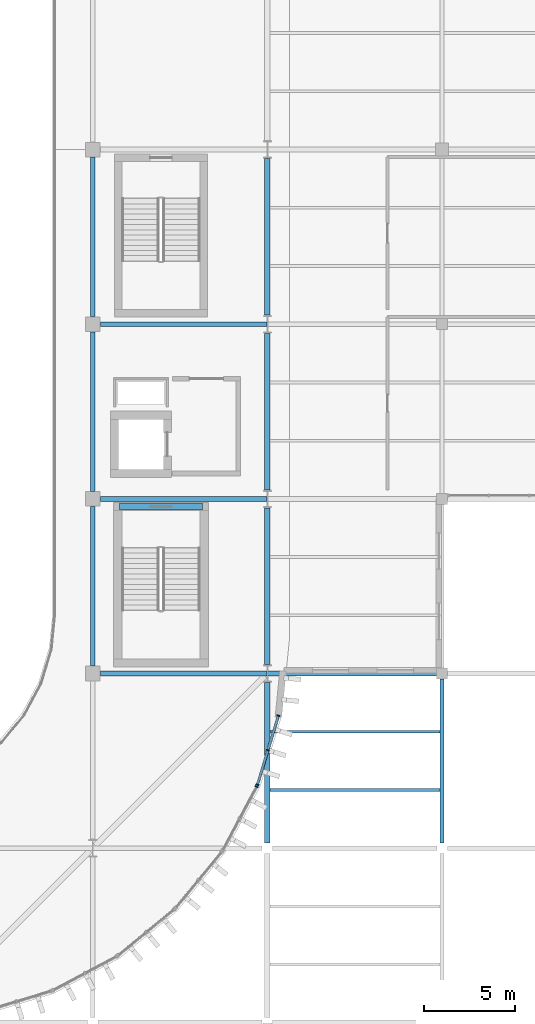
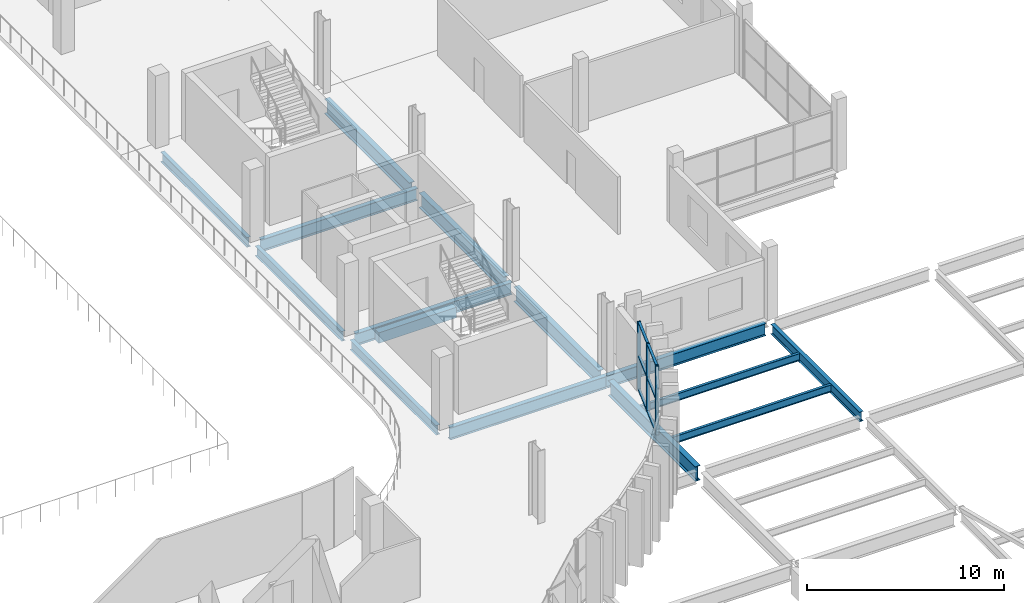
# One storey, part 20 of 75: 15 beams, 10 members, 2 elements without a shape of their own.
"""IFC4 building model written with IfcOpenShell, lengths in metres."""

from ifc_helpers import new_model, si_unit, direction, frame, origin, origin_2d, place, context, subcontext, project, spatial, rectangle, i_section, extrude, material, layer, layer_set, material_profile, profile_set, type_object, element, aggregate, save


model = new_model("IFC4")

# Units and contexts
model_context = context("Model", 3, precision=1e-05, world=origin(), true_north=direction((0.0, 1.0)))
body_context = subcontext(model_context, "Body", "Model", "MODEL_VIEW")
ifc_project = project(units=[si_unit("LENGTHUNIT", "METRE"), si_unit("AREAUNIT", "SQUARE_METRE"), si_unit("VOLUMEUNIT", "CUBIC_METRE"), si_unit("PLANEANGLEUNIT", "RADIAN"), si_unit("MASSUNIT", "GRAM", prefix="KILO")], contexts=[model_context])

# Site, building, storey
site_placement = place(None, origin())
site = spatial("IfcSite", under=ifc_project, at=site_placement, CompositionType="ELEMENT")
building_placement = place(site_placement, origin())
building = spatial("IfcBuilding", under=site, at=building_placement, Name="Caelomonte Colonnade Arena", CompositionType="ELEMENT")
storey_placement = place(building_placement, frame((0.0, 0.0, 14.10009765625)))
storey = spatial("IfcBuildingStorey", under=building, at=storey_placement, Name="L03", CompositionType="ELEMENT", Elevation=14.10009765625)

# Curtain wall, member
ifc_material_1 = material(Name="Bronze anodised aluminium and low-E glazing", Category="aluminium")
ifc_layer = layer(ifc_material_1, 0.179931640625)
ifc_layer_set = layer_set([ifc_layer], Name="Bronze anodised aluminium and low-E glazing")
curtain_wall_type = type_object("IfcCurtainWallType", Name="ENV-CW-CW-L03-44-42", PredefinedType="USERDEFINED", material=ifc_layer_set)
curtain_wall_1_placement = place(storey_placement, origin())
curtain_wall_1 = element("IfcCurtainWall", 1, at=curtain_wall_1_placement, inside=storey, type_object=curtain_wall_type, Name="L03 unitized curtain wall CW-L03-1617-0304", ObjectType="UNITIZED CURTAIN WALL", PredefinedType="USERDEFINED")
ifc_material_2 = material(Name="Bronze anodised aluminium AA6063-T6", Category="aluminium")
ifc_material_profile_1 = material_profile(ifc_material_2, rectangle(XDim=0.070068359375, YDim=0.179931640625, at=origin_2d()), Name="CWM-70X180")
ifc_profile_set_1 = profile_set([ifc_material_profile_1], Name="Bronze anodised aluminium AA6063-T6")
member_type_1 = type_object("IfcMemberType", Name="ENV-CW-MULL1", PredefinedType="MULLION", material=ifc_profile_set_1)
member_1_placement = place(storey_placement, frame((162.607421875, 32.182373046875, 0.0), z_axis=(0.0, 0.0, 1.0), x_axis=(0.471394212466, 0.881922613642, 0.0)))
member_1 = element("IfcMember", 2, at=member_1_placement, type_object=member_type_1, Name="CW-L03-44-42 mullion 3", PredefinedType="MULLION", context=body_context, shape_type="SweptSolid", body=[
    extrude(rectangle(XDim=0.070068359375, YDim=0.179931640625, at=origin_2d()), origin(), (0.0, 0.0, 1.0), 4.239990234375),
])
aggregate(curtain_wall_1, [member_1])

# Curtain wall, members
curtain_wall_2_placement = place(storey_placement, origin())
curtain_wall_2 = element("IfcCurtainWall", 3, at=curtain_wall_2_placement, inside=storey, type_object=curtain_wall_type, Name="L03 unitized curtain wall CW-L03-1632-0342", ObjectType="UNITIZED CURTAIN WALL", PredefinedType="USERDEFINED")
member_2_placement = place(storey_placement, frame((162.651123046875, 32.28759765625, 0.0), z_axis=(0.0, 0.0, 1.0), x_axis=(0.290255582655, 0.956949160999, 0.0)))
member_2 = element("IfcMember", 4, at=member_2_placement, type_object=member_type_1, Name="CW-L03-44-42 mullion 1", PredefinedType="MULLION", context=body_context, shape_type="SweptSolid", body=[
    extrude(rectangle(XDim=0.070068359375, YDim=0.179931640625, at=origin_2d()), origin(), (0.0, 0.0, 1.0), 4.239990234375),
])
member_3_placement = place(storey_placement, frame((163.226806640625, 34.185546875, 0.0), z_axis=(0.0, 0.0, 1.0), x_axis=(0.290255582655, 0.956949160999, 0.0)))
member_3 = element("IfcMember", 5, at=member_3_placement, type_object=member_type_1, Name="CW-L03-44-42 mullion 2", PredefinedType="MULLION", context=body_context, shape_type="SweptSolid", body=[
    extrude(rectangle(XDim=0.070068359375, YDim=0.179931640625, at=origin_2d()), origin(), (0.0, 0.0, 1.0), 4.239990234375),
])
member_4_placement = place(storey_placement, frame((163.802490234375, 36.08349609375, 0.0), z_axis=(0.0, 0.0, 1.0), x_axis=(0.290255582655, 0.956949160999, 0.0)))
member_4 = element("IfcMember", 6, at=member_4_placement, type_object=member_type_1, Name="CW-L03-44-42 mullion 3", PredefinedType="MULLION", context=body_context, shape_type="SweptSolid", body=[
    extrude(rectangle(XDim=0.070068359375, YDim=0.179931640625, at=origin_2d()), origin(), (0.0, 0.0, 1.0), 4.239990234375),
])
ifc_material_profile_2 = material_profile(ifc_material_2, rectangle(XDim=0.070068359375, YDim=0.139892578125, at=origin_2d()), Name="CWT-70X140")
ifc_profile_set_2 = profile_set([ifc_material_profile_2], Name="Bronze anodised aluminium AA6063-T6")
member_type_2 = type_object("IfcMemberType", Name="ENV-CW-TRAN1", PredefinedType="USERDEFINED", material=ifc_profile_set_2)
member_5_placement = place(storey_placement, frame((162.6611328125, 32.321044921875, 0.034912109375), z_axis=(0.290272978297, 0.956943884494, 0.0), x_axis=(0.0, 0.0, 1.0)))
member_5 = element("IfcMember", 7, at=member_5_placement, type_object=member_type_2, Name="CW-L03-44-42 transom 1.1", ObjectType="TRANSOM", PredefinedType="USERDEFINED", context=body_context, shape_type="SweptSolid", body=[
    extrude(rectangle(XDim=0.070068359375, YDim=0.139892578125, at=origin_2d()), origin(), (0.0, 0.0, 1.0), 1.913330078125),
])
member_6_placement = place(storey_placement, frame((162.6611328125, 32.321044921875, 2.119873046875), z_axis=(0.290272978297, 0.956943884494, 0.0), x_axis=(0.0, 0.0, 1.0)))
member_6 = element("IfcMember", 8, at=member_6_placement, type_object=member_type_2, Name="CW-L03-44-42 transom 1.2", ObjectType="TRANSOM", PredefinedType="USERDEFINED", context=body_context, shape_type="SweptSolid", body=[
    extrude(rectangle(XDim=0.070068359375, YDim=0.139892578125, at=origin_2d()), origin(), (0.0, 0.0, 1.0), 1.913330078125),
])
member_7_placement = place(storey_placement, frame((162.6611328125, 32.321044921875, 4.204833984375), z_axis=(0.290272978297, 0.956943884494, 0.0), x_axis=(0.0, 0.0, 1.0)))
member_7 = element("IfcMember", 9, at=member_7_placement, type_object=member_type_2, Name="CW-L03-44-42 transom 1.3", ObjectType="TRANSOM", PredefinedType="USERDEFINED", context=body_context, shape_type="SweptSolid", body=[
    extrude(rectangle(XDim=0.070068359375, YDim=0.139892578125, at=origin_2d()), origin(), (0.0, 0.0, 1.0), 1.913330078125),
])
member_8_placement = place(storey_placement, frame((163.23681640625, 34.218994140625, 0.034912109375), z_axis=(0.290272978297, 0.956943884494, 0.0), x_axis=(0.0, 0.0, 1.0)))
member_8 = element("IfcMember", 10, at=member_8_placement, type_object=member_type_2, Name="CW-L03-44-42 transom 2.1", ObjectType="TRANSOM", PredefinedType="USERDEFINED", context=body_context, shape_type="SweptSolid", body=[
    extrude(rectangle(XDim=0.070068359375, YDim=0.139892578125, at=origin_2d()), origin(), (0.0, 0.0, 1.0), 1.913330078125),
])
member_9_placement = place(storey_placement, frame((163.23681640625, 34.218994140625, 2.119873046875), z_axis=(0.290272978297, 0.956943884494, 0.0), x_axis=(0.0, 0.0, 1.0)))
member_9 = element("IfcMember", 11, at=member_9_placement, type_object=member_type_2, Name="CW-L03-44-42 transom 2.2", ObjectType="TRANSOM", PredefinedType="USERDEFINED", context=body_context, shape_type="SweptSolid", body=[
    extrude(rectangle(XDim=0.070068359375, YDim=0.139892578125, at=origin_2d()), origin(), (0.0, 0.0, 1.0), 1.913330078125),
])
member_10_placement = place(storey_placement, frame((163.23681640625, 34.218994140625, 4.204833984375), z_axis=(0.290272978297, 0.956943884494, 0.0), x_axis=(0.0, 0.0, 1.0)))
member_10 = element("IfcMember", 12, at=member_10_placement, type_object=member_type_2, Name="CW-L03-44-42 transom 2.3", ObjectType="TRANSOM", PredefinedType="USERDEFINED", context=body_context, shape_type="SweptSolid", body=[
    extrude(rectangle(XDim=0.070068359375, YDim=0.139892578125, at=origin_2d()), origin(), (0.0, 0.0, 1.0), 1.913330078125),
])
aggregate(curtain_wall_2, [member_2, member_3, member_4, member_5, member_6, member_7, member_8, member_9, member_10])

# Beams
ifc_material_3 = material(Name="Wide-flange steel ASTM A992 Grade 50", Category="steel")
ifc_material_profile_3 = material_profile(ifc_material_3, i_section(OverallWidth=0.307861328125, OverallDepth=0.927001953125, WebThickness=0.019287109375, FlangeThickness=0.031982421875, FilletRadius=0.020263671875, at=origin_2d()), Name="W36X194")
ifc_profile_set_3 = profile_set([ifc_material_profile_3], Name="Wide-flange steel ASTM A992 Grade 50")
beam_type_1 = type_object("IfcBeamType", Name="STR-BM-EAVES2", PredefinedType="SPANDREL", material=ifc_profile_set_3)
beam_1_placement = place(storey_placement, frame((163.199951171875, 29.092041015625, -0.74365234375), z_axis=(0.0, 1.0, 0.0), x_axis=(-1.0, 0.0, 0.0)))
element("IfcBeam", 13, at=beam_1_placement, inside=storey, type_object=beam_type_1, Name="L03 girder BMY-L03-1632-0288", PredefinedType="SPANDREL", context=body_context, shape_type="SweptSolid", body=[
    extrude(i_section(OverallWidth=0.307861328125, OverallDepth=0.927001953125, WebThickness=0.019287109375, FlangeThickness=0.031982421875, FilletRadius=0.020263671875, at=origin_2d()), origin(), (0.0, 0.0, 1.0), 8.810546875),
])
for number, where, z_axis, x_axis, name in (
    (14, (163.199951171875, 38.8974609375, -0.74365234375), (0.0, 1.0, 0.0), (-1.0, 0.0, 0.0), "L03 girder BMY-L03-1632-0384"),
    (15, (163.199951171875, 48.49755859375, -0.74365234375), (0.0, 1.0, 0.0), (-1.0, 0.0, 0.0), "L03 girder BMY-L03-1632-0480"),
):
    element("IfcBeam", number, at=place(storey_placement, frame(where, z_axis=z_axis, x_axis=x_axis)), inside=storey, type_object=beam_type_1, Name=name, PredefinedType="SPANDREL", context=body_context, shape_type="SweptSolid", body=[
        extrude(i_section(OverallWidth=0.307861328125, OverallDepth=0.927001953125, WebThickness=0.019287109375, FlangeThickness=0.031982421875, FilletRadius=0.020263671875, at=origin_2d()), origin(), (0.0, 0.0, 1.0), 8.60498046875),
    ])
beam_2_placement = place(storey_placement, frame((163.199951171875, 58.097412109375, -0.74365234375), z_axis=(0.0, 1.0, 0.0), x_axis=(-1.0, 0.0, 0.0)))
element("IfcBeam", 16, at=beam_2_placement, inside=storey, type_object=beam_type_1, Name="L03 girder BMY-L03-1632-0576", PredefinedType="SPANDREL", context=body_context, shape_type="SweptSolid", body=[
    extrude(i_section(OverallWidth=0.307861328125, OverallDepth=0.927001953125, WebThickness=0.019287109375, FlangeThickness=0.031982421875, FilletRadius=0.020263671875, at=origin_2d()), origin(), (0.0, 0.0, 1.0), 8.605224609375),
])
ifc_material_profile_4 = material_profile(ifc_material_3, i_section(OverallWidth=0.228271484375, OverallDepth=0.607177734375, WebThickness=0.01123046875, FlangeThickness=0.017333984375, FilletRadius=0.0126953125, at=origin_2d()), Name="W24X76")
ifc_profile_set_4 = profile_set([ifc_material_profile_4], Name="Wide-flange steel ASTM A992 Grade 50")
beam_type_2 = type_object("IfcBeamType", Name="STR-BM-GIRD24", PredefinedType="BEAM", material=ifc_profile_set_4)
for number, where, z_axis, x_axis, name in (
    (17, (153.60009765625, 38.81689453125, -0.58349609375), (0.0, 1.0, 0.0), (-1.0, 0.0, 0.0), "L03 girder BMY-L03-1536-0384"),
    (18, (153.60009765625, 48.4169921875, -0.58349609375), (0.0, 1.0, 0.0), (-1.0, 0.0, 0.0), "L03 girder BMY-L03-1536-0480"),
):
    element("IfcBeam", number, at=place(storey_placement, frame(where, z_axis=z_axis, x_axis=x_axis)), inside=storey, type_object=beam_type_2, Name=name, PredefinedType="BEAM", context=body_context, shape_type="SweptSolid", body=[
        extrude(i_section(OverallWidth=0.228271484375, OverallDepth=0.607177734375, WebThickness=0.01123046875, FlangeThickness=0.017333984375, FilletRadius=0.0126953125, at=origin_2d()), origin(), (0.0, 0.0, 1.0), 8.76611328125),
    ])
beam_3_placement = place(storey_placement, frame((153.60009765625, 58.01708984375, -0.58349609375), z_axis=(0.0, 1.0, 0.0), x_axis=(-1.0, 0.0, 0.0)))
element("IfcBeam", 19, at=beam_3_placement, inside=storey, type_object=beam_type_2, Name="L03 girder BMY-L03-1536-0576", PredefinedType="BEAM", context=body_context, shape_type="SweptSolid", body=[
    extrude(i_section(OverallWidth=0.228271484375, OverallDepth=0.607177734375, WebThickness=0.01123046875, FlangeThickness=0.017333984375, FilletRadius=0.0126953125, at=origin_2d()), origin(), (0.0, 0.0, 1.0), 8.765869140625),
])
beam_4_placement = place(storey_placement, frame((172.800048828125, 29.092041015625, -0.58349609375), z_axis=(0.0, 1.0, 0.0), x_axis=(-1.0, 0.0, 0.0)))
element("IfcBeam", 20, at=beam_4_placement, inside=storey, type_object=beam_type_2, Name="L03 girder BMY-L03-1728-0288", PredefinedType="BEAM", context=body_context, shape_type="SweptSolid", body=[
    extrude(i_section(OverallWidth=0.228271484375, OverallDepth=0.607177734375, WebThickness=0.01123046875, FlangeThickness=0.017333984375, FilletRadius=0.0126953125, at=origin_2d()), origin(), (0.0, 0.0, 1.0), 9.015869140625),
])
ifc_material_profile_5 = material_profile(ifc_material_3, i_section(OverallWidth=0.265380859375, OverallDepth=0.75439453125, WebThickness=0.01318359375, FlangeThickness=0.01708984375, FilletRadius=0.0166015625, at=origin_2d()), Name="W30X99")
ifc_profile_set_5 = profile_set([ifc_material_profile_5], Name="Wide-flange steel ASTM A992 Grade 50")
beam_type_3 = type_object("IfcBeamType", Name="STR-BM-GIRD30B", PredefinedType="BEAM", material=ifc_profile_set_5)
beam_5_placement = place(storey_placement, frame((154.01708984375, 38.39990234375, -0.6572265625), z_axis=(1.0, 0.0, 0.0), x_axis=(0.0, 1.0, 0.0)))
element("IfcBeam", 21, at=beam_5_placement, inside=storey, type_object=beam_type_3, Name="L03 girder BMX-L03-1536-0384", PredefinedType="BEAM", context=body_context, shape_type="SweptSolid", body=[
    extrude(i_section(OverallWidth=0.265380859375, OverallDepth=0.75439453125, WebThickness=0.01318359375, FlangeThickness=0.01708984375, FilletRadius=0.0166015625, at=origin_2d()), origin(), (0.0, 0.0, 1.0), 9.171142578125),
])
beam_6_placement = place(storey_placement, frame((163.2119140625, 38.39990234375, -0.6572265625), z_axis=(1.0, 0.0, 0.0), x_axis=(0.0, 1.0, 0.0)))
element("IfcBeam", 22, at=beam_6_placement, inside=storey, type_object=beam_type_3, Name="L03 girder BMX-L03-1632-0384", PredefinedType="BEAM", context=body_context, shape_type="SweptSolid", body=[
    extrude(i_section(OverallWidth=0.265380859375, OverallDepth=0.75439453125, WebThickness=0.01318359375, FlangeThickness=0.01708984375, FilletRadius=0.0166015625, at=origin_2d()), origin(), (0.0, 0.0, 1.0), 9.296142578125),
])
for number, where, z_axis, x_axis, name in (
    (23, (154.01708984375, 48.0, -0.6572265625), (1.0, 0.0, 0.0), (0.0, 1.0, 0.0), "L03 girder BMX-L03-1536-0480"),
    (24, (154.01708984375, 57.60009765625, -0.6572265625), (1.0, 0.0, 0.0), (0.0, 1.0, 0.0), "L03 girder BMX-L03-1536-0576"),
):
    element("IfcBeam", number, at=place(storey_placement, frame(where, z_axis=z_axis, x_axis=x_axis)), inside=storey, type_object=beam_type_3, Name=name, PredefinedType="BEAM", context=body_context, shape_type="SweptSolid", body=[
        extrude(i_section(OverallWidth=0.265380859375, OverallDepth=0.75439453125, WebThickness=0.01318359375, FlangeThickness=0.01708984375, FilletRadius=0.0166015625, at=origin_2d()), origin(), (0.0, 0.0, 1.0), 9.171142578125),
    ])
ifc_material_profile_6 = material_profile(ifc_material_3, i_section(OverallWidth=0.15283203125, OverallDepth=0.45458984375, WebThickness=0.008056640625, FlangeThickness=0.01318359375, FilletRadius=0.01025390625, at=origin_2d()), Name="W18X40")
ifc_profile_set_6 = profile_set([ifc_material_profile_6], Name="Wide-flange steel ASTM A992 Grade 50")
beam_type_4 = type_object("IfcBeamType", Name="STR-BM-JOIST18B", PredefinedType="JOIST", material=ifc_profile_set_6)
for number, where, z_axis, x_axis, name in (
    (25, (163.348876953125, 32.0, -0.50732421875), (1.0, 0.0, 0.0), (0.0, 1.0, 0.0), "L03 secondary joist 1"),
    (26, (163.348876953125, 35.199951171875, -0.50732421875), (1.0, 0.0, 0.0), (0.0, 1.0, 0.0), "L03 secondary joist 2"),
):
    element("IfcBeam", number, at=place(storey_placement, frame(where, z_axis=z_axis, x_axis=x_axis)), inside=storey, type_object=beam_type_4, Name=name, PredefinedType="JOIST", context=body_context, shape_type="SweptSolid", body=[
        extrude(i_section(OverallWidth=0.15283203125, OverallDepth=0.45458984375, WebThickness=0.008056640625, FlangeThickness=0.01318359375, FilletRadius=0.01025390625, at=origin_2d()), origin(), (0.0, 0.0, 1.0), 9.342041015625),
    ])
ifc_material_4 = material(Name="Concrete C40/50", Category="concrete")
ifc_material_profile_7 = material_profile(ifc_material_4, rectangle(XDim=0.39990234375, YDim=0.64990234375, at=origin_2d()), Name="RC400X650")
ifc_profile_set_7 = profile_set([ifc_material_profile_7], Name="Concrete C40/50")
beam_type_5 = type_object("IfcBeamType", Name="STR-BM-LINT40", PredefinedType="LINTEL", material=ifc_profile_set_7)
beam_7_placement = place(storey_placement, frame((155.074951171875, 47.574951171875, -0.60498046875), z_axis=(1.0, 0.0, 0.0), x_axis=(0.0, 1.0, 0.0)))
element("IfcBeam", 27, at=beam_7_placement, inside=storey, type_object=beam_type_5, Name="Core C2 L03 coupling lintel beam", PredefinedType="LINTEL", context=body_context, shape_type="SweptSolid", body=[
    extrude(rectangle(XDim=0.39990234375, YDim=0.64990234375, at=origin_2d()), origin(), (0.0, 0.0, 1.0), 4.550048828125),
])

save(model, "model.ifc")
